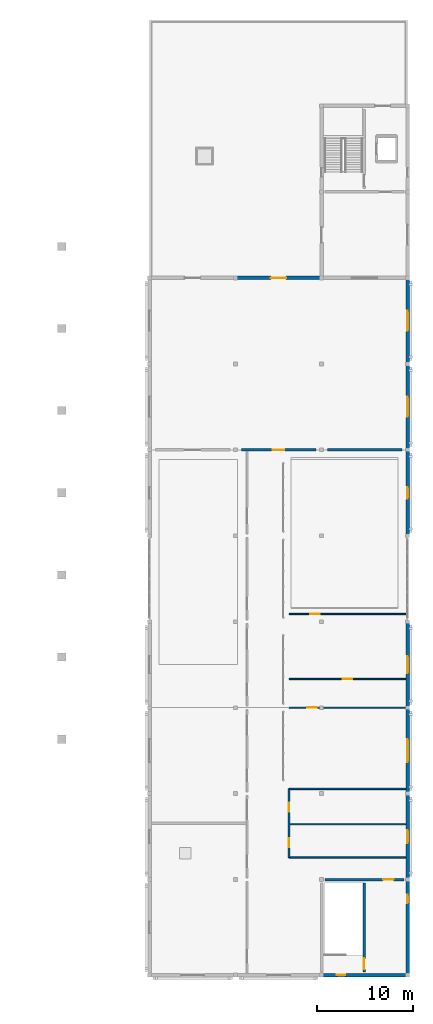
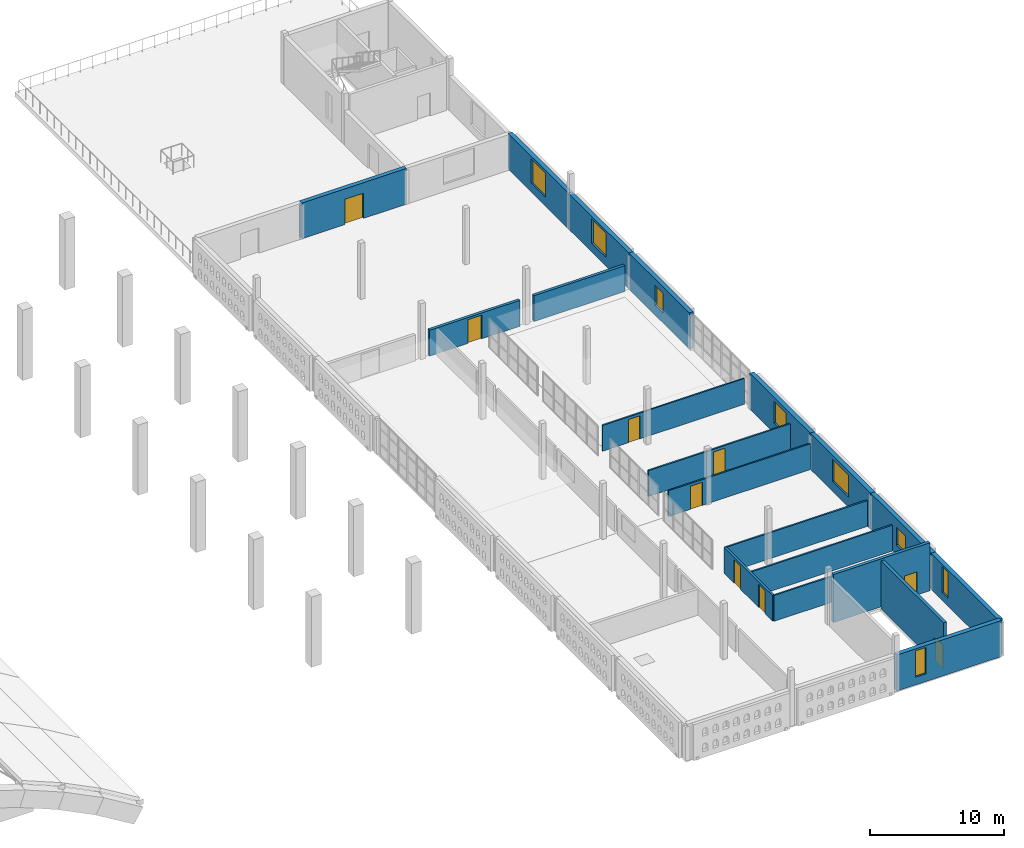
# One storey, part 24 of 30: 20 walls, 9 doors, 8 windows, 17 openings.
"""IFC4 building model written with IfcOpenShell, lengths in metres."""

import ifcopenshell
import ifcopenshell.guid

model = None  # the IFC model being written
_history = None  # IfcOwnerHistory: only IFC2X3 demands one
_inside = {}  # id of a spatial element -> (the spatial element, [elements in it])
_under = {}  # id of a project, library or spatial element -> (it, [spatial elements below it])
_declared = {}  # id of a project -> (the project, [libraries it declares])
_typed = {}  # id of a type object -> (the type object, [elements of that type])
_made_of = {}  # id of a material, layer set ... -> (it, [elements and type objects made of it])


def new_model(schema):
    """Start an empty IFC model of exactly this schema.

    Asked for "IFC4X3", IfcOpenShell would pick the latest addendum, in which some entities
    have other attributes; the version numbers below select the first issue.
    IFC2X3 requires an IfcOwnerHistory on every rooted entity: one is made here for all.
    """
    global model, _history
    if schema == "IFC4X3":
        model = ifcopenshell.file(schema_version=(4, 3, 0, 0))
    else:
        model = ifcopenshell.file(schema=schema)
    _inside.clear()
    _under.clear()
    _declared.clear()
    _typed.clear()
    _made_of.clear()
    _history = None
    if model.schema == "IFC2X3":
        org = make("IfcOrganization", Name="unknown")
        user = make(
            "IfcPersonAndOrganization",
            ThePerson=make("IfcPerson", FamilyName="unknown"),
            TheOrganization=org,
        )
        app = make(
            "IfcApplication",
            ApplicationDeveloper=org,
            Version="unknown",
            ApplicationFullName="unknown",
            ApplicationIdentifier="unknown",
        )
        _history = make(
            "IfcOwnerHistory",
            OwningUser=user,
            OwningApplication=app,
            ChangeAction="ADDED",
            CreationDate=0,
        )
    return model


def make(cls, **values):
    """One entity of the class cls with the attributes given. An attribute that is None is left unset."""
    return model.create_entity(
        cls, **{name: value for name, value in values.items() if value is not None}
    )


def rooted(cls, **values):
    """An entity with a GlobalId (a new one), such as an element, a storey or a relation."""
    return make(cls, GlobalId=ifcopenshell.guid.new(), OwnerHistory=_history, **values)


def si_unit(unit_type, name, prefix=None):
    """IfcSIUnit, for example si_unit("LENGTHUNIT", "METRE", prefix="MILLI")."""
    return make("IfcSIUnit", UnitType=unit_type, Prefix=prefix, Name=name)


def assignment(units):
    """IfcUnitAssignment: the units of a project."""
    return None if units is None else make("IfcUnitAssignment", Units=units)


def point(xyz):
    """IfcCartesianPoint."""
    return None if xyz is None else make("IfcCartesianPoint", Coordinates=xyz)


def direction(xyz):
    """IfcDirection."""
    return None if xyz is None else make("IfcDirection", DirectionRatios=xyz)


def frame(location, z_axis=None, x_axis=None):
    """IfcAxis2Placement3D, a coordinate frame: its origin and axes. An axis left out is left unset."""
    return make(
        "IfcAxis2Placement3D",
        Location=point(location),
        Axis=direction(z_axis),
        RefDirection=direction(x_axis),
    )


def frame_2d(location, x_axis=None):
    """IfcAxis2Placement2D, a coordinate frame in the plane: its origin and x axis."""
    return make(
        "IfcAxis2Placement2D", Location=point(location), RefDirection=direction(x_axis)
    )


def origin():
    """The frame at (0, 0, 0) with its axes left unset."""
    return frame((0.0, 0.0, 0.0))


def place(relative_to, where):
    """IfcLocalPlacement: puts the frame where relative to a parent placement (None: the world)."""
    return make(
        "IfcLocalPlacement", PlacementRelTo=relative_to, RelativePlacement=where
    )


def context(
    kind, dimensions, precision=None, world=None, true_north=None, identifier=None
):
    """IfcGeometricRepresentationContext, for example the 3D "Model" context."""
    return make(
        "IfcGeometricRepresentationContext",
        ContextIdentifier=identifier,
        ContextType=kind,
        CoordinateSpaceDimension=dimensions,
        Precision=precision,
        WorldCoordinateSystem=world,
        TrueNorth=true_north,
    )


def subcontext(parent, identifier, kind, view, scale=None):
    """IfcGeometricRepresentationSubContext, for example "Body" below "Model"."""
    return make(
        "IfcGeometricRepresentationSubContext",
        ContextIdentifier=identifier,
        ContextType=kind,
        ParentContext=parent,
        TargetScale=scale,
        TargetView=view,
    )


def project(units=None, contexts=None):
    """IfcProject with its units and contexts."""
    return rooted(
        "IfcProject",
        Name="project",
        RepresentationContexts=contexts,
        UnitsInContext=assignment(units),
    )


def spatial(cls, under=None, at=None, **own):
    """A site, building, storey or space (cls), placed at a placement, below another one or the project."""
    s = rooted(cls, ObjectPlacement=at, **own)
    if under is not None:
        _under.setdefault(under.id(), (under, []))[1].append(s)
    return s


def profile(cls, at=None, kind="AREA", **sizes):
    """A parametric profile (cls). Its sizes go by their IFC names, for example OverallWidth=200.0."""
    return make(cls, ProfileType=kind, Position=at, **sizes)


def rectangle(**sizes):
    """IfcRectangleProfileDef."""
    return profile("IfcRectangleProfileDef", **sizes)


def extrude(swept, where, along, depth):
    """IfcExtrudedAreaSolid: the profile swept, set in the frame where, extruded along a direction by depth."""
    return make(
        "IfcExtrudedAreaSolid",
        SweptArea=swept,
        Position=where,
        ExtrudedDirection=direction(along),
        Depth=depth,
    )


def shape(context_of_items, identifier, shape_type, items):
    """IfcShapeRepresentation: the items that make up one representation, for example the "Body"."""
    return make(
        "IfcShapeRepresentation",
        ContextOfItems=context_of_items,
        RepresentationIdentifier=identifier,
        RepresentationType=shape_type,
        Items=items,
    )


def material(Name=None, Category=None):
    """IfcMaterial."""
    return make("IfcMaterial", Name=Name, Category=Category)


def layer(
    of_material, thickness, ventilated=None, Name=None, Category=None, Priority=None
):
    """IfcMaterialLayer: one layer of a wall or slab, of a material (None: an air gap)."""
    return make(
        "IfcMaterialLayer",
        Material=of_material,
        LayerThickness=thickness,
        IsVentilated=ventilated,
        Name=Name,
        Category=Category,
        Priority=Priority,
    )


def layer_set(layers, Name=None):
    """IfcMaterialLayerSet."""
    return make("IfcMaterialLayerSet", MaterialLayers=layers, LayerSetName=Name)


def made_of(thing, what):
    """Note that an element or type object is made of a material, layer set ...; save() writes the relation."""
    if what is not None:
        _made_of.setdefault(what.id(), (what, []))[1].append(thing)
    return thing


def type_object(cls, material=None, **own):
    """A type object (cls), such as IfcWallType, which elements share."""
    return made_of(rooted(cls, **own), material)


def element(
    cls,
    number,
    at=None,
    inside=None,
    cuts=None,
    type_object=None,
    material=None,
    context=None,
    identifier="Body",
    shape_type=None,
    held_by="IfcProductDefinitionShape",
    body=None,
    shapes=None,
    **own,
):
    """One element of the class cls, such as IfcWall. Its Tag is "e" and its number.

    at: its placement. inside: the storey or other place that contains it. cuts: it is an
    opening in that element (IfcRelVoidsElement). A single representation is given by context,
    identifier, shape_type and body (its items); several are given by shapes. held_by: the class
    of the entity that holds the representations. save() writes the other relations.
    """
    e = rooted(cls, Tag="e%d" % number, ObjectPlacement=at, **own)
    if body is not None:
        shapes = [shape(context, identifier, shape_type, body)]
    if shapes is not None:
        e.Representation = make(held_by, Representations=shapes)
    if inside is not None:
        _inside.setdefault(inside.id(), (inside, []))[1].append(e)
    if cuts is not None:
        rooted(
            "IfcRelVoidsElement", RelatingBuildingElement=cuts, RelatedOpeningElement=e
        )
    if type_object is not None:
        _typed.setdefault(type_object.id(), (type_object, []))[1].append(e)
    return made_of(e, material)


def fill(opening, filler):
    """IfcRelFillsElement: the door or window that sits in an opening."""
    return rooted(
        "IfcRelFillsElement",
        RelatingOpeningElement=opening,
        RelatedBuildingElement=filler,
    )


def aggregate(whole, parts):
    """IfcRelAggregates: a whole, such as a stair, and the parts it consists of."""
    return rooted("IfcRelAggregates", RelatingObject=whole, RelatedObjects=parts)


def save(model, path):
    """Write the relations noted so far, then the file.

    IfcRelAggregates (storeys below a building ...), IfcRelContainedInSpatialStructure (elements
    in a storey), IfcRelDefinesByType, IfcRelAssociatesMaterial and IfcRelDeclares: one each for
    every whole, place, type object, material and project.
    """
    for whole, parts in _under.values():
        aggregate(whole, parts)
    for where, things in _inside.values():
        rooted(
            "IfcRelContainedInSpatialStructure",
            RelatedElements=things,
            RelatingStructure=where,
        )
    for kind, things in _typed.values():
        rooted("IfcRelDefinesByType", RelatedObjects=things, RelatingType=kind)
    for what, things in _made_of.values():
        rooted("IfcRelAssociatesMaterial", RelatedObjects=things, RelatingMaterial=what)
    for by, libraries in _declared.values():
        rooted("IfcRelDeclares", RelatingContext=by, RelatedDefinitions=libraries)
    model.write(path)


model = new_model("IFC4")

# Units and contexts
model_context = context("Model", 3, precision=1e-05, world=origin(), true_north=direction((0.0, 1.0)))
body_context = subcontext(model_context, "Body", "Model", "MODEL_VIEW")
ifc_project = project(units=[si_unit("LENGTHUNIT", "METRE"), si_unit("AREAUNIT", "SQUARE_METRE"), si_unit("VOLUMEUNIT", "CUBIC_METRE"), si_unit("PLANEANGLEUNIT", "RADIAN"), si_unit("MASSUNIT", "GRAM", prefix="KILO")], contexts=[model_context])

# Site, building, storey
site_placement = place(None, origin())
site = spatial("IfcSite", under=ifc_project, at=site_placement, CompositionType="ELEMENT")
building_placement = place(site_placement, origin())
building = spatial("IfcBuilding", under=site, at=building_placement, Name="Ornek Quay Market", CompositionType="ELEMENT")
storey_placement = place(building_placement, frame((0.0, 0.0, 12.0)))
storey = spatial("IfcBuildingStorey", under=building, at=storey_placement, Name="L03", CompositionType="ELEMENT", Elevation=12.0)

# Wall, opening, door
ifc_material_1 = material(Name="Concrete C40/50", Category="concrete")
ifc_layer_1 = layer(ifc_material_1, 0.260009765625, Name="Concrete C40/50", Category="concrete")
ifc_layer_set_1 = layer_set([ifc_layer_1], Name="Concrete C40/50")
wall_type_1 = type_object("IfcWallType", Name="WL-CORE-260", PredefinedType="SHEAR", material=ifc_layer_set_1)
wall_1_placement = place(storey_placement, frame((175.449951171875, 10.35009765625, 0.0), z_axis=(0.0, 0.0, 1.0), x_axis=(0.0, 1.0, 0.0)))
wall_1 = element("IfcWall", 1, at=wall_1_placement, inside=storey, type_object=wall_type_1, Name="Interior wall W-CORE2-166", PredefinedType="SHEAR", context=body_context, shape_type="SweptSolid", body=[
    extrude(rectangle(XDim=9.2998046875, YDim=0.260009765625, at=frame_2d((4.64990234375, 0.0))), origin(), (0.0, 0.0, 1.0), 4.3701171875),
])
opening_1_placement = place(wall_1_placement, frame((0.25, 0.0, 0.0)))
opening_1 = element("IfcOpeningElement", 2, at=opening_1_placement, cuts=wall_1, Name="Opening FD-03-066", PredefinedType="OPENING", context=body_context, shape_type="SweptSolid", body=[
    extrude(rectangle(XDim=1.14990234375, YDim=2.14990234375, at=frame_2d((0.574951171875, 1.074951171875))), frame((0.0, 0.139892578125, 0.0), z_axis=(0.0, -1.0, 0.0), x_axis=(1.0, 0.0, 0.0)), (0.0, 0.0, 1.0), 0.280029296875),
])
ifc_material_2 = material(Name="Insulated fire-rated painted steel", Category="steel")
door_type_1 = type_object("IfcDoorType", Name="DR-FIRE-STAIR-1150x2150", OperationType="NOTDEFINED", PredefinedType="DOOR", material=ifc_material_2)
door_1_placement = place(opening_1_placement, origin())
door_1 = element("IfcDoor", 3, at=door_1_placement, inside=storey, type_object=door_type_1, Name="Interior door FD-03-066", OperationType="SINGLE_SWING_LEFT", OverallHeight=2.14990234375, OverallWidth=1.14990234375, PredefinedType="DOOR", context=body_context, shape_type="SweptSolid", body=[
    extrude(rectangle(XDim=1.14990234375, YDim=2.14990234375, at=frame_2d((0.574951171875, 1.074951171875))), frame((0.0, 0.02490234375, 0.0), z_axis=(0.0, -1.0, 0.0), x_axis=(1.0, 0.0, 0.0)), (0.0, 0.0, 1.0), 0.050048828125),
])
fill(opening_1, door_1)

wall_2_placement = place(storey_placement, frame((171.35009765625, 20.0, 0.0), z_axis=(0.0, 0.0, 1.0), x_axis=(1.0, 0.0, 0.0)))
wall_2 = element("IfcWall", 4, at=wall_2_placement, inside=storey, type_object=wall_type_1, Name="Interior wall W-CORE2-168", PredefinedType="SHEAR", context=body_context, shape_type="SweptSolid", body=[
    extrude(rectangle(XDim=8.2998046875, YDim=0.260009765625, at=frame_2d((4.14990234375, 0.0))), origin(), (0.0, 0.0, 1.0), 4.3701171875),
])
opening_2_placement = place(wall_2_placement, frame((6.10009765625, 0.0, 0.0)))
opening_2 = element("IfcOpeningElement", 5, at=opening_2_placement, cuts=wall_2, Name="Opening FD-04-067", PredefinedType="OPENING", context=body_context, shape_type="SweptSolid", body=[
    extrude(rectangle(XDim=1.10009765625, YDim=2.10009765625, at=frame_2d((0.550048828125, 1.050048828125))), frame((0.0, 0.139892578125, 0.0), z_axis=(0.0, -1.0, 0.0), x_axis=(1.0, 0.0, 0.0)), (0.0, 0.0, 1.0), 0.280029296875),
])
door_type_2 = type_object("IfcDoorType", Name="DR-FIRE-LOBBY-1100x2100", OperationType="NOTDEFINED", PredefinedType="DOOR", material=ifc_material_2)
door_2_placement = place(opening_2_placement, origin())
door_2 = element("IfcDoor", 6, at=door_2_placement, inside=storey, type_object=door_type_2, Name="Interior door FD-04-067", OperationType="SINGLE_SWING_RIGHT", OverallHeight=2.10009765625, OverallWidth=1.10009765625, PredefinedType="DOOR", context=body_context, shape_type="SweptSolid", body=[
    extrude(rectangle(XDim=1.10009765625, YDim=2.10009765625, at=frame_2d((0.550048828125, 1.050048828125))), frame((0.0, 0.02490234375, 0.0), z_axis=(0.0, -1.0, 0.0), x_axis=(1.0, 0.0, 0.0)), (0.0, 0.0, 1.0), 0.050048828125),
])
fill(opening_2, door_2)

# Wall, openings, doors
ifc_material_3 = material(Name="Autoclaved aerated concrete masonry", Category="masonry")
ifc_layer_2 = layer(ifc_material_3, 0.179931640625, Name="Autoclaved aerated concrete masonry", Category="masonry")
ifc_layer_set_2 = layer_set([ifc_layer_2], Name="Autoclaved aerated concrete masonry")
wall_type_2 = type_object("IfcWallType", Name="WL-CORR-180", PredefinedType="STANDARD", material=ifc_layer_set_2)
wall_3_placement = place(storey_placement, frame((167.60009765625, 22.300048828125, 0.0), z_axis=(0.0, 0.0, 1.0), x_axis=(0.0, 1.0, 0.0)))
wall_3 = element("IfcWall", 7, at=wall_3_placement, inside=storey, type_object=wall_type_2, Name="Interior wall W-INT1-397", PredefinedType="STANDARD", context=body_context, shape_type="SweptSolid", body=[
    extrude(rectangle(XDim=7.199951171875, YDim=0.179931640625, at=frame_2d((3.60009765625, 0.0))), origin(), (0.0, 0.0, 1.0), 2.35009765625),
])
opening_3_placement = place(wall_3_placement, frame((1.10009765625, 0.0, 0.0)))
opening_3 = element("IfcOpeningElement", 8, at=opening_3_placement, cuts=wall_3, Name="Opening ID-04-194", PredefinedType="OPENING", context=body_context, shape_type="SweptSolid", body=[
    extrude(rectangle(XDim=0.949951171875, YDim=2.10009765625, at=frame_2d((0.47509765625, 1.050048828125))), frame((0.0, 0.099853515625, 0.0), z_axis=(0.0, -1.0, 0.0), x_axis=(1.0, 0.0, 0.0)), (0.0, 0.0, 1.0), 0.199951171875),
])
opening_4_placement = place(wall_3_placement, frame((4.800048828125, 0.0, 0.0)))
opening_4 = element("IfcOpeningElement", 9, at=opening_4_placement, cuts=wall_3, Name="Opening ID-04-195", PredefinedType="OPENING", context=body_context, shape_type="SweptSolid", body=[
    extrude(rectangle(XDim=0.949951171875, YDim=2.10009765625, at=frame_2d((0.47509765625, 1.050048828125))), frame((0.0, 0.099853515625, 0.0), z_axis=(0.0, -1.0, 0.0), x_axis=(1.0, 0.0, 0.0)), (0.0, 0.0, 1.0), 0.199951171875),
])
ifc_material_4 = material(Name="Moisture-resistant laminate door", Category="other")
door_type_3 = type_object("IfcDoorType", Name="DR-INT-WC-950x2100", OperationType="NOTDEFINED", PredefinedType="DOOR", material=ifc_material_4)
door_3_placement = place(opening_3_placement, origin())
door_3 = element("IfcDoor", 10, at=door_3_placement, inside=storey, type_object=door_type_3, Name="Interior door ID-04-194", OperationType="SINGLE_SWING_LEFT", OverallHeight=2.10009765625, OverallWidth=0.949951171875, PredefinedType="DOOR", context=body_context, shape_type="SweptSolid", body=[
    extrude(rectangle(XDim=0.949951171875, YDim=2.10009765625, at=frame_2d((0.47509765625, 1.050048828125))), frame((0.0, 0.02490234375, 0.0), z_axis=(0.0, -1.0, 0.0), x_axis=(1.0, 0.0, 0.0)), (0.0, 0.0, 1.0), 0.050048828125),
])
fill(opening_3, door_3)
door_4_placement = place(opening_4_placement, origin())
door_4 = element("IfcDoor", 11, at=door_4_placement, inside=storey, type_object=door_type_3, Name="Interior door ID-04-195", OperationType="SINGLE_SWING_RIGHT", OverallHeight=2.10009765625, OverallWidth=0.949951171875, PredefinedType="DOOR", context=body_context, shape_type="SweptSolid", body=[
    extrude(rectangle(XDim=0.949951171875, YDim=2.10009765625, at=frame_2d((0.47509765625, 1.050048828125))), frame((0.0, 0.02490234375, 0.0), z_axis=(0.0, -1.0, 0.0), x_axis=(1.0, 0.0, 0.0)), (0.0, 0.0, 1.0), 0.050048828125),
])
fill(opening_4, door_4)

# Wall, opening, window
ifc_material_5 = material(Name="Frost-resistant facing clay brick M200 F100", Category="masonry")
ifc_layer_3 = layer(ifc_material_5, 0.3701171875, Name="Frost-resistant facing clay brick M200 F100", Category="masonry")
ifc_layer_set_3 = layer_set([ifc_layer_3], Name="Frost-resistant facing clay brick M200 F100")
wall_type_3 = type_object("IfcWallType", Name="WL-EXT-CS-370", PredefinedType="STANDARD", material=ifc_layer_set_3)
wall_4_placement = place(storey_placement, frame((180.0, 20.0, 0.0), z_axis=(0.0, 0.0, 1.0), x_axis=(0.0, -1.0, 0.0)))
wall_4 = element("IfcWall", 12, at=wall_4_placement, inside=storey, type_object=wall_type_3, Name="Exterior wall EW-232", PredefinedType="STANDARD", context=body_context, shape_type="SweptSolid", body=[
    extrude(rectangle(XDim=10.0, YDim=0.3701171875, at=frame_2d((5.0, 0.0))), origin(), (0.0, 0.0, 1.0), 3.280029296875),
])
opening_5_placement = place(wall_4_placement, frame((1.60009765625, 0.0, 0.699951171875)))
opening_5 = element("IfcOpeningElement", 13, at=opening_5_placement, cuts=wall_4, Name="Opening W-17-195", PredefinedType="OPENING", context=body_context, shape_type="SweptSolid", body=[
    extrude(rectangle(XDim=0.89990234375, YDim=2.39990234375, at=frame_2d((0.449951171875, 1.199951171875))), frame((0.0, 0.195068359375, 0.0), z_axis=(0.0, -1.0, 0.0), x_axis=(1.0, 0.0, 0.0)), (0.0, 0.0, 1.0), 0.39013671875),
])
ifc_material_6 = material(Name="Thermally broken bronze aluminium and triple low-e glass", Category="aluminium")
window_type_1 = type_object("IfcWindowType", Name="WN-CORE-900x2400", PartitioningType="SINGLE_PANEL", PredefinedType="WINDOW", material=ifc_material_6)
window_1_placement = place(opening_5_placement, origin())
window_1 = element("IfcWindow", 14, at=window_1_placement, inside=storey, type_object=window_type_1, Name="Window W-17-195", OverallHeight=2.39990234375, OverallWidth=0.89990234375, PartitioningType="SINGLE_PANEL", PredefinedType="WINDOW", context=body_context, shape_type="SweptSolid", body=[
    extrude(rectangle(XDim=0.89990234375, YDim=2.39990234375, at=frame_2d((0.449951171875, 1.199951171875))), frame((0.0, 0.030029296875, 0.0), z_axis=(0.0, -1.0, 0.0), x_axis=(1.0, 0.0, 0.0)), (0.0, 0.0, 1.0), 0.06005859375),
])
fill(opening_5, window_1)

wall_5_placement = place(storey_placement, frame((180.0, 20.0, 0.0), z_axis=(0.0, 0.0, 1.0), x_axis=(0.0, 1.0, 0.0)))
wall_5 = element("IfcWall", 15, at=wall_5_placement, inside=storey, type_object=wall_type_3, Name="Exterior wall EW-233", PredefinedType="STANDARD", context=body_context, shape_type="SweptSolid", body=[
    extrude(rectangle(XDim=9.0, YDim=0.3701171875, at=frame_2d((4.5, 0.0))), origin(), (0.0, 0.0, 1.0), 3.280029296875),
])
opening_6_placement = place(wall_5_placement, frame((3.824951171875, 0.0, 0.89990234375)))
opening_6 = element("IfcOpeningElement", 16, at=opening_6_placement, cuts=wall_5, Name="Opening W-16-196", PredefinedType="OPENING", context=body_context, shape_type="SweptSolid", body=[
    extrude(rectangle(XDim=1.35009765625, YDim=1.60009765625, at=frame_2d((0.675048828125, 0.800048828125))), frame((0.0, 0.195068359375, 0.0), z_axis=(0.0, -1.0, 0.0), x_axis=(1.0, 0.0, 0.0)), (0.0, 0.0, 1.0), 0.39013671875),
])
window_type_2 = type_object("IfcWindowType", Name="WN-OFF-1350x1600", PartitioningType="SINGLE_PANEL", PredefinedType="WINDOW", material=ifc_material_6)
window_2_placement = place(opening_6_placement, origin())
window_2 = element("IfcWindow", 17, at=window_2_placement, inside=storey, type_object=window_type_2, Name="Window W-16-196", OverallHeight=1.60009765625, OverallWidth=1.35009765625, PartitioningType="SINGLE_PANEL", PredefinedType="WINDOW", context=body_context, shape_type="SweptSolid", body=[
    extrude(rectangle(XDim=1.35009765625, YDim=1.60009765625, at=frame_2d((0.675048828125, 0.800048828125))), frame((0.0, 0.030029296875, 0.0), z_axis=(0.0, -1.0, 0.0), x_axis=(1.0, 0.0, 0.0)), (0.0, 0.0, 1.0), 0.06005859375),
])
fill(opening_6, window_2)

wall_6_placement = place(storey_placement, frame((180.0, 29.0, 0.0), z_axis=(0.0, 0.0, 1.0), x_axis=(0.0, 1.0, 0.0)))
wall_6 = element("IfcWall", 18, at=wall_6_placement, inside=storey, type_object=wall_type_3, Name="Exterior wall EW-234", PredefinedType="STANDARD", context=body_context, shape_type="SweptSolid", body=[
    extrude(rectangle(XDim=9.0, YDim=0.3701171875, at=frame_2d((4.5, 0.0))), origin(), (0.0, 0.0, 1.0), 3.280029296875),
])
opening_7_placement = place(wall_6_placement, frame((3.300048828125, 0.0, 0.89990234375)))
opening_7 = element("IfcOpeningElement", 19, at=opening_7_placement, cuts=wall_6, Name="Opening W-08-197", PredefinedType="OPENING", context=body_context, shape_type="SweptSolid", body=[
    extrude(rectangle(XDim=2.39990234375, YDim=2.0, at=frame_2d((1.199951171875, 1.0))), frame((0.0, 0.195068359375, 0.0), z_axis=(0.0, -1.0, 0.0), x_axis=(1.0, 0.0, 0.0)), (0.0, 0.0, 1.0), 0.39013671875),
])
window_type_3 = type_object("IfcWindowType", Name="WN-CS-2400x2000", PartitioningType="DOUBLE_PANEL_VERTICAL", PredefinedType="WINDOW", material=ifc_material_6)
window_3_placement = place(opening_7_placement, origin())
window_3 = element("IfcWindow", 20, at=window_3_placement, inside=storey, type_object=window_type_3, Name="Window W-08-197", OverallHeight=2.0, OverallWidth=2.39990234375, PartitioningType="SINGLE_PANEL", PredefinedType="WINDOW", context=body_context, shape_type="SweptSolid", body=[
    extrude(rectangle(XDim=2.39990234375, YDim=2.0, at=frame_2d((1.199951171875, 1.0))), frame((0.0, 0.030029296875, 0.0), z_axis=(0.0, -1.0, 0.0), x_axis=(1.0, 0.0, 0.0)), (0.0, 0.0, 1.0), 0.06005859375),
])
fill(opening_7, window_3)

wall_7_placement = place(storey_placement, frame((180.0, 38.0, 0.0), z_axis=(0.0, 0.0, 1.0), x_axis=(0.0, 1.0, 0.0)))
wall_7 = element("IfcWall", 21, at=wall_7_placement, inside=storey, type_object=wall_type_3, Name="Exterior wall EW-235", PredefinedType="STANDARD", context=body_context, shape_type="SweptSolid", body=[
    extrude(rectangle(XDim=9.0, YDim=0.3701171875, at=frame_2d((4.5, 0.0))), origin(), (0.0, 0.0, 1.0), 3.280029296875),
])
opening_8_placement = place(wall_7_placement, frame((3.60009765625, 0.0, 0.89990234375)))
opening_8 = element("IfcOpeningElement", 22, at=opening_8_placement, cuts=wall_7, Name="Opening W-09-198", PredefinedType="OPENING", context=body_context, shape_type="SweptSolid", body=[
    extrude(rectangle(XDim=1.800048828125, YDim=2.0, at=frame_2d((0.89990234375, 1.0))), frame((0.0, 0.195068359375, 0.0), z_axis=(0.0, -1.0, 0.0), x_axis=(1.0, 0.0, 0.0)), (0.0, 0.0, 1.0), 0.39013671875),
])
window_type_4 = type_object("IfcWindowType", Name="WN-CS-1800x2000", PartitioningType="DOUBLE_PANEL_VERTICAL", PredefinedType="WINDOW", material=ifc_material_6)
window_4_placement = place(opening_8_placement, origin())
window_4 = element("IfcWindow", 23, at=window_4_placement, inside=storey, type_object=window_type_4, Name="Window W-09-198", OverallHeight=2.0, OverallWidth=1.800048828125, PartitioningType="SINGLE_PANEL", PredefinedType="WINDOW", context=body_context, shape_type="SweptSolid", body=[
    extrude(rectangle(XDim=1.800048828125, YDim=2.0, at=frame_2d((0.89990234375, 1.0))), frame((0.0, 0.030029296875, 0.0), z_axis=(0.0, -1.0, 0.0), x_axis=(1.0, 0.0, 0.0)), (0.0, 0.0, 1.0), 0.06005859375),
])
fill(opening_8, window_4)

wall_8_placement = place(storey_placement, frame((180.0, 56.0, 0.0), z_axis=(0.0, 0.0, 1.0), x_axis=(0.0, 1.0, 0.0)))
wall_8 = element("IfcWall", 24, at=wall_8_placement, inside=storey, type_object=wall_type_3, Name="Exterior wall EW-236", PredefinedType="STANDARD", context=body_context, shape_type="SweptSolid", body=[
    extrude(rectangle(XDim=9.0, YDim=0.3701171875, at=frame_2d((4.5, 0.0))), origin(), (0.0, 0.0, 1.0), 3.280029296875),
])
opening_9_placement = place(wall_8_placement, frame((3.89990234375, 0.0, 0.89990234375)))
opening_9 = element("IfcOpeningElement", 25, at=opening_9_placement, cuts=wall_8, Name="Opening W-11-199", PredefinedType="OPENING", context=body_context, shape_type="SweptSolid", body=[
    extrude(rectangle(XDim=1.199951171875, YDim=1.800048828125, at=frame_2d((0.60009765625, 0.89990234375))), frame((0.0, 0.195068359375, 0.0), z_axis=(0.0, -1.0, 0.0), x_axis=(1.0, 0.0, 0.0)), (0.0, 0.0, 1.0), 0.39013671875),
])
window_type_5 = type_object("IfcWindowType", Name="WN-CS-1200x1800", PartitioningType="SINGLE_PANEL", PredefinedType="WINDOW", material=ifc_material_6)
window_5_placement = place(opening_9_placement, origin())
window_5 = element("IfcWindow", 26, at=window_5_placement, inside=storey, type_object=window_type_5, Name="Window W-11-199", OverallHeight=1.800048828125, OverallWidth=1.199951171875, PartitioningType="SINGLE_PANEL", PredefinedType="WINDOW", context=body_context, shape_type="SweptSolid", body=[
    extrude(rectangle(XDim=1.199951171875, YDim=1.800048828125, at=frame_2d((0.60009765625, 0.89990234375))), frame((0.0, 0.030029296875, 0.0), z_axis=(0.0, -1.0, 0.0), x_axis=(1.0, 0.0, 0.0)), (0.0, 0.0, 1.0), 0.06005859375),
])
fill(opening_9, window_5)

wall_9_placement = place(storey_placement, frame((171.0, 10.0, 0.0), z_axis=(0.0, 0.0, 1.0), x_axis=(1.0, 0.0, 0.0)))
wall_9 = element("IfcWall", 27, at=wall_9_placement, inside=storey, type_object=wall_type_3, Name="Exterior wall EW-239", PredefinedType="STANDARD", context=body_context, shape_type="SweptSolid", body=[
    extrude(rectangle(XDim=9.0, YDim=0.3701171875, at=frame_2d((4.5, 0.0))), origin(), (0.0, 0.0, 1.0), 3.280029296875),
])
opening_10_placement = place(wall_9_placement, frame((1.60009765625, 0.0, 0.699951171875)))
opening_10 = element("IfcOpeningElement", 28, at=opening_10_placement, cuts=wall_9, Name="Opening W-17-202", PredefinedType="OPENING", context=body_context, shape_type="SweptSolid", body=[
    extrude(rectangle(XDim=0.89990234375, YDim=2.39990234375, at=frame_2d((0.449951171875, 1.199951171875))), frame((0.0, 0.195068359375, 0.0), z_axis=(0.0, -1.0, 0.0), x_axis=(1.0, 0.0, 0.0)), (0.0, 0.0, 1.0), 0.39013671875),
])
window_6_placement = place(opening_10_placement, origin())
window_6 = element("IfcWindow", 29, at=window_6_placement, inside=storey, type_object=window_type_1, Name="Window W-17-202", OverallHeight=2.39990234375, OverallWidth=0.89990234375, PartitioningType="SINGLE_PANEL", PredefinedType="WINDOW", context=body_context, shape_type="SweptSolid", body=[
    extrude(rectangle(XDim=0.89990234375, YDim=2.39990234375, at=frame_2d((0.449951171875, 1.199951171875))), frame((0.0, 0.030029296875, 0.0), z_axis=(0.0, -1.0, 0.0), x_axis=(1.0, 0.0, 0.0)), (0.0, 0.0, 1.0), 0.06005859375),
])
fill(opening_10, window_6)

# Wall, opening, door
ifc_layer_4 = layer(ifc_material_5, 0.360107421875, Name="Frost-resistant facing clay brick M200 F100", Category="masonry")
ifc_layer_set_4 = layer_set([ifc_layer_4], Name="Frost-resistant facing clay brick M200 F100")
wall_type_4 = type_object("IfcWallType", Name="WL-EXT-FC-360", PredefinedType="STANDARD", material=ifc_layer_set_4)
wall_10_placement = place(storey_placement, frame((162.0, 83.0, 0.0), z_axis=(0.0, 0.0, 1.0), x_axis=(1.0, 0.0, 0.0)))
wall_10 = element("IfcWall", 30, at=wall_10_placement, inside=storey, type_object=wall_type_4, Name="Exterior wall EW-171", PredefinedType="STANDARD", context=body_context, shape_type="SweptSolid", body=[
    extrude(rectangle(XDim=9.0, YDim=0.360107421875, at=frame_2d((4.5, 0.0))), origin(), (0.0, 0.0, 1.0), 3.25),
])
opening_11_placement = place(wall_10_placement, frame((3.699951171875, 0.0, 0.0)))
opening_11 = element("IfcOpeningElement", 31, at=opening_11_placement, cuts=wall_10, Name="Opening ED-04-041", PredefinedType="OPENING", context=body_context, shape_type="SweptSolid", body=[
    extrude(rectangle(XDim=1.60009765625, YDim=2.300048828125, at=frame_2d((0.800048828125, 1.14990234375))), frame((0.0, 0.18994140625, 0.0), z_axis=(0.0, -1.0, 0.0), x_axis=(1.0, 0.0, 0.0)), (0.0, 0.0, 1.0), 0.380126953125),
])
ifc_material_7 = material(Name="Anodised bronze aluminium and triple glass", Category="aluminium")
door_type_4 = type_object("IfcDoorType", Name="DR-EXT-TER-1600x2300", OperationType="DOUBLE_DOOR_SINGLE_SWING", PredefinedType="DOOR", material=ifc_material_7)
door_5_placement = place(opening_11_placement, origin())
door_5 = element("IfcDoor", 32, at=door_5_placement, inside=storey, type_object=door_type_4, Name="Exterior door ED-04-041", OperationType="DOUBLE_DOOR_SINGLE_SWING", OverallHeight=2.300048828125, OverallWidth=1.60009765625, PredefinedType="DOOR", context=body_context, shape_type="SweptSolid", body=[
    extrude(rectangle(XDim=1.60009765625, YDim=2.300048828125, at=frame_2d((0.800048828125, 1.14990234375))), frame((0.0, 0.02490234375, 0.0), z_axis=(0.0, -1.0, 0.0), x_axis=(1.0, 0.0, 0.0)), (0.0, 0.0, 1.0), 0.050048828125),
])
fill(opening_11, door_5)

# Wall, opening, window
wall_11_placement = place(storey_placement, frame((180.0, 65.0, 0.0), z_axis=(0.0, 0.0, 1.0), x_axis=(0.0, 1.0, 0.0)))
wall_11 = element("IfcWall", 33, at=wall_11_placement, inside=storey, type_object=wall_type_4, Name="Exterior wall EW-174", PredefinedType="STANDARD", context=body_context, shape_type="SweptSolid", body=[
    extrude(rectangle(XDim=9.0, YDim=0.360107421875, at=frame_2d((4.5, 0.0))), origin(), (0.0, 0.0, 1.0), 3.25),
])
opening_12_placement = place(wall_11_placement, frame((3.449951171875, 0.0, 0.800048828125)))
opening_12 = element("IfcOpeningElement", 34, at=opening_12_placement, cuts=wall_11, Name="Opening W-06-144", PredefinedType="OPENING", context=body_context, shape_type="SweptSolid", body=[
    extrude(rectangle(XDim=2.10009765625, YDim=2.199951171875, at=frame_2d((1.050048828125, 1.10009765625))), frame((0.0, 0.18994140625, 0.0), z_axis=(0.0, -1.0, 0.0), x_axis=(1.0, 0.0, 0.0)), (0.0, 0.0, 1.0), 0.380126953125),
])
window_type_6 = type_object("IfcWindowType", Name="WN-FC-2100x2200", PartitioningType="DOUBLE_PANEL_VERTICAL", PredefinedType="WINDOW", material=ifc_material_6)
window_7_placement = place(opening_12_placement, origin())
window_7 = element("IfcWindow", 35, at=window_7_placement, inside=storey, type_object=window_type_6, Name="Window W-06-144", OverallHeight=2.199951171875, OverallWidth=2.10009765625, PartitioningType="SINGLE_PANEL", PredefinedType="WINDOW", context=body_context, shape_type="SweptSolid", body=[
    extrude(rectangle(XDim=2.10009765625, YDim=2.199951171875, at=frame_2d((1.050048828125, 1.10009765625))), frame((0.0, 0.030029296875, 0.0), z_axis=(0.0, -1.0, 0.0), x_axis=(1.0, 0.0, 0.0)), (0.0, 0.0, 1.0), 0.06005859375),
])
fill(opening_12, window_7)

wall_12_placement = place(storey_placement, frame((180.0, 74.0, 0.0), z_axis=(0.0, 0.0, 1.0), x_axis=(0.0, 1.0, 0.0)))
wall_12 = element("IfcWall", 36, at=wall_12_placement, inside=storey, type_object=wall_type_4, Name="Exterior wall EW-176", PredefinedType="STANDARD", context=body_context, shape_type="SweptSolid", body=[
    extrude(rectangle(XDim=9.0, YDim=0.360107421875, at=frame_2d((4.5, 0.0))), origin(), (0.0, 0.0, 1.0), 3.25),
])
opening_13_placement = place(wall_12_placement, frame((3.449951171875, 0.0, 0.800048828125)))
opening_13 = element("IfcOpeningElement", 37, at=opening_13_placement, cuts=wall_12, Name="Opening W-06-146", PredefinedType="OPENING", context=body_context, shape_type="SweptSolid", body=[
    extrude(rectangle(XDim=2.10009765625, YDim=2.199951171875, at=frame_2d((1.050048828125, 1.10009765625))), frame((0.0, 0.18994140625, 0.0), z_axis=(0.0, -1.0, 0.0), x_axis=(1.0, 0.0, 0.0)), (0.0, 0.0, 1.0), 0.380126953125),
])
window_8_placement = place(opening_13_placement, origin())
window_8 = element("IfcWindow", 38, at=window_8_placement, inside=storey, type_object=window_type_6, Name="Window W-06-146", OverallHeight=2.199951171875, OverallWidth=2.10009765625, PartitioningType="SINGLE_PANEL", PredefinedType="WINDOW", context=body_context, shape_type="SweptSolid", body=[
    extrude(rectangle(XDim=2.10009765625, YDim=2.199951171875, at=frame_2d((1.050048828125, 1.10009765625))), frame((0.0, 0.030029296875, 0.0), z_axis=(0.0, -1.0, 0.0), x_axis=(1.0, 0.0, 0.0)), (0.0, 0.0, 1.0), 0.06005859375),
])
fill(opening_13, window_8)

# Wall, opening, door
ifc_material_8 = material(Name="Concrete C35/45", Category="concrete")
ifc_layer_5 = layer(ifc_material_8, 0.239990234375, Name="Concrete C35/45", Category="concrete")
ifc_layer_set_5 = layer_set([ifc_layer_5], Name="Concrete C35/45")
wall_type_5 = type_object("IfcWallType", Name="WL-FIRE-240", PredefinedType="SOLIDWALL", material=ifc_layer_set_5)
wall_13_placement = place(storey_placement, frame((162.60009765625, 65.0, 0.0), z_axis=(0.0, 0.0, 1.0), x_axis=(1.0, 0.0, 0.0)))
wall_13 = element("IfcWall", 39, at=wall_13_placement, inside=storey, type_object=wall_type_5, Name="Interior wall W-FIRE2-343", PredefinedType="SOLIDWALL", context=body_context, shape_type="SweptSolid", body=[
    extrude(rectangle(XDim=7.7998046875, YDim=0.239990234375, at=frame_2d((3.89990234375, 0.0))), origin(), (0.0, 0.0, 1.0), 2.35009765625),
])
opening_14_placement = place(wall_13_placement, frame((3.300048828125, 0.0, 0.0)))
opening_14 = element("IfcOpeningElement", 40, at=opening_14_placement, cuts=wall_13, Name="Opening ID-02-167", PredefinedType="OPENING", context=body_context, shape_type="SweptSolid", body=[
    extrude(rectangle(XDim=1.199951171875, YDim=2.14990234375, at=frame_2d((0.60009765625, 1.074951171875))), frame((0.0, 0.1298828125, 0.0), z_axis=(0.0, -1.0, 0.0), x_axis=(1.0, 0.0, 0.0)), (0.0, 0.0, 1.0), 0.260009765625),
])
ifc_material_9 = material(Name="Acoustic solid oak door", Category="other")
door_type_5 = type_object("IfcDoorType", Name="DR-INT-STUDIO-1200x2150", OperationType="NOTDEFINED", PredefinedType="DOOR", material=ifc_material_9)
door_6_placement = place(opening_14_placement, origin())
door_6 = element("IfcDoor", 41, at=door_6_placement, inside=storey, type_object=door_type_5, Name="Interior door ID-02-167", OperationType="SINGLE_SWING_RIGHT", OverallHeight=2.14990234375, OverallWidth=1.199951171875, PredefinedType="DOOR", context=body_context, shape_type="SweptSolid", body=[
    extrude(rectangle(XDim=1.199951171875, YDim=2.14990234375, at=frame_2d((0.60009765625, 1.074951171875))), frame((0.0, 0.02490234375, 0.0), z_axis=(0.0, -1.0, 0.0), x_axis=(1.0, 0.0, 0.0)), (0.0, 0.0, 1.0), 0.050048828125),
])
fill(opening_14, door_6)

# Wall
wall_14_placement = place(storey_placement, frame((171.60009765625, 65.0, 0.0), z_axis=(0.0, 0.0, 1.0), x_axis=(1.0, 0.0, 0.0)))
element("IfcWall", 42, at=wall_14_placement, inside=storey, type_object=wall_type_5, Name="Interior wall W-FIRE2-344", PredefinedType="SOLIDWALL", context=body_context, shape_type="SweptSolid", body=[
    extrude(rectangle(XDim=7.7998046875, YDim=0.239990234375, at=frame_2d((3.89990234375, 0.0))), origin(), (0.0, 0.0, 1.0), 2.35009765625),
])

# Wall, opening, door
ifc_material_10 = material(Name="Acoustic stud partition", Category="other")
ifc_layer_6 = layer(ifc_material_10, 0.125, Name="Acoustic stud partition", Category="other")
ifc_layer_set_6 = layer_set([ifc_layer_6], Name="Acoustic stud partition")
wall_type_6 = type_object("IfcWallType", Name="WL-OFF-125", PredefinedType="PARTITIONING", material=ifc_layer_set_6)
wall_15_placement = place(storey_placement, frame((167.60009765625, 38.0, 0.0), z_axis=(0.0, 0.0, 1.0), x_axis=(1.0, 0.0, 0.0)))
wall_15 = element("IfcWall", 43, at=wall_15_placement, inside=storey, type_object=wall_type_6, Name="Interior wall W-INT5-354", PredefinedType="PARTITIONING", context=body_context, shape_type="SweptSolid", body=[
    extrude(rectangle(XDim=12.199951171875, YDim=0.125, at=frame_2d((6.10009765625, 0.0))), origin(), (0.0, 0.0, 1.0), 2.35009765625),
])
opening_15_placement = place(wall_15_placement, frame((1.89990234375, 0.0, 0.0)))
opening_15 = element("IfcOpeningElement", 44, at=opening_15_placement, cuts=wall_15, Name="Opening ID-03-174", PredefinedType="OPENING", context=body_context, shape_type="SweptSolid", body=[
    extrude(rectangle(XDim=1.0, YDim=2.10009765625, at=frame_2d((0.5, 1.050048828125))), frame((0.0, 0.072509765625, 0.0), z_axis=(0.0, -1.0, 0.0), x_axis=(1.0, 0.0, 0.0)), (0.0, 0.0, 1.0), 0.14501953125),
])
ifc_material_11 = material(Name="Solid oak door", Category="other")
door_type_6 = type_object("IfcDoorType", Name="DR-INT-ROOM-1000x2100", OperationType="NOTDEFINED", PredefinedType="DOOR", material=ifc_material_11)
door_7_placement = place(opening_15_placement, origin())
door_7 = element("IfcDoor", 45, at=door_7_placement, inside=storey, type_object=door_type_6, Name="Interior door ID-03-174", OperationType="SINGLE_SWING_LEFT", OverallHeight=2.10009765625, OverallWidth=1.0, PredefinedType="DOOR", context=body_context, shape_type="SweptSolid", body=[
    extrude(rectangle(XDim=1.0, YDim=2.10009765625, at=frame_2d((0.5, 1.050048828125))), frame((0.0, 0.02490234375, 0.0), z_axis=(0.0, -1.0, 0.0), x_axis=(1.0, 0.0, 0.0)), (0.0, 0.0, 1.0), 0.050048828125),
])
fill(opening_15, door_7)

wall_16_placement = place(storey_placement, frame((167.60009765625, 47.800048828125, 0.0), z_axis=(0.0, 0.0, 1.0), x_axis=(1.0, 0.0, 0.0)))
wall_16 = element("IfcWall", 46, at=wall_16_placement, inside=storey, type_object=wall_type_6, Name="Interior wall W-INT5-355", PredefinedType="PARTITIONING", context=body_context, shape_type="SweptSolid", body=[
    extrude(rectangle(XDim=12.199951171875, YDim=0.125, at=frame_2d((6.10009765625, 0.0))), origin(), (0.0, 0.0, 1.0), 2.35009765625),
])
opening_16_placement = place(wall_16_placement, frame((2.199951171875, 0.0, 0.0)))
opening_16 = element("IfcOpeningElement", 47, at=opening_16_placement, cuts=wall_16, Name="Opening ID-03-175", PredefinedType="OPENING", context=body_context, shape_type="SweptSolid", body=[
    extrude(rectangle(XDim=1.0, YDim=2.10009765625, at=frame_2d((0.5, 1.050048828125))), frame((0.0, 0.072509765625, 0.0), z_axis=(0.0, -1.0, 0.0), x_axis=(1.0, 0.0, 0.0)), (0.0, 0.0, 1.0), 0.14501953125),
])
door_8_placement = place(opening_16_placement, origin())
door_8 = element("IfcDoor", 48, at=door_8_placement, inside=storey, type_object=door_type_6, Name="Interior door ID-03-175", OperationType="SINGLE_SWING_RIGHT", OverallHeight=2.10009765625, OverallWidth=1.0, PredefinedType="DOOR", context=body_context, shape_type="SweptSolid", body=[
    extrude(rectangle(XDim=1.0, YDim=2.10009765625, at=frame_2d((0.5, 1.050048828125))), frame((0.0, 0.02490234375, 0.0), z_axis=(0.0, -1.0, 0.0), x_axis=(1.0, 0.0, 0.0)), (0.0, 0.0, 1.0), 0.050048828125),
])
fill(opening_16, door_8)

ifc_material_12 = material(Name="Reinforced masonry storage partition", Category="masonry")
ifc_layer_7 = layer(ifc_material_12, 0.135009765625, Name="Reinforced masonry storage partition", Category="masonry")
ifc_layer_set_7 = layer_set([ifc_layer_7], Name="Reinforced masonry storage partition")
wall_type_7 = type_object("IfcWallType", Name="WL-STORAGE-135", PredefinedType="PARTITIONING", material=ifc_layer_set_7)
wall_17_placement = place(storey_placement, frame((167.60009765625, 41.0, 0.0), z_axis=(0.0, 0.0, 1.0), x_axis=(1.0, 0.0, 0.0)))
wall_17 = element("IfcWall", 49, at=wall_17_placement, inside=storey, type_object=wall_type_7, Name="Interior wall W-INT8-360", PredefinedType="PARTITIONING", context=body_context, shape_type="SweptSolid", body=[
    extrude(rectangle(XDim=12.199951171875, YDim=0.135009765625, at=frame_2d((6.10009765625, 0.0))), origin(), (0.0, 0.0, 1.0), 2.35009765625),
])
opening_17_placement = place(wall_17_placement, frame((5.60009765625, 0.0, 0.0)))
opening_17 = element("IfcOpeningElement", 50, at=opening_17_placement, cuts=wall_17, Name="Opening ID-03-180", PredefinedType="OPENING", context=body_context, shape_type="SweptSolid", body=[
    extrude(rectangle(XDim=1.0, YDim=2.10009765625, at=frame_2d((0.5, 1.050048828125))), frame((0.0, 0.077392578125, 0.0), z_axis=(0.0, -1.0, 0.0), x_axis=(1.0, 0.0, 0.0)), (0.0, 0.0, 1.0), 0.155029296875),
])
door_9_placement = place(opening_17_placement, origin())
door_9 = element("IfcDoor", 51, at=door_9_placement, inside=storey, type_object=door_type_6, Name="Interior door ID-03-180", OperationType="SINGLE_SWING_LEFT", OverallHeight=2.10009765625, OverallWidth=1.0, PredefinedType="DOOR", context=body_context, shape_type="SweptSolid", body=[
    extrude(rectangle(XDim=1.0, YDim=2.10009765625, at=frame_2d((0.5, 1.050048828125))), frame((0.0, 0.02490234375, 0.0), z_axis=(0.0, -1.0, 0.0), x_axis=(1.0, 0.0, 0.0)), (0.0, 0.0, 1.0), 0.050048828125),
])
fill(opening_17, door_9)

# Walls
ifc_material_13 = material(Name="Moisture-resistant masonry partition", Category="masonry")
ifc_layer_8 = layer(ifc_material_13, 0.139892578125, Name="Moisture-resistant masonry partition", Category="masonry")
ifc_layer_set_8 = layer_set([ifc_layer_8], Name="Moisture-resistant masonry partition")
wall_type_8 = type_object("IfcWallType", Name="WL-WC-140", PredefinedType="PARTITIONING", material=ifc_layer_set_8)
for number, where, z_axis, x_axis, name in (
    (52, (167.60009765625, 22.300048828125, 0.0), (0.0, 0.0, 1.0), (1.0, 0.0, 0.0), "Interior wall W-INT4-351"),
    (53, (167.60009765625, 25.800048828125, 0.0), (0.0, 0.0, 1.0), (1.0, 0.0, 0.0), "Interior wall W-INT4-352"),
    (54, (167.60009765625, 29.5, 0.0), (0.0, 0.0, 1.0), (1.0, 0.0, 0.0), "Interior wall W-INT4-353"),
):
    element("IfcWall", number, at=place(storey_placement, frame(where, z_axis=z_axis, x_axis=x_axis)), inside=storey, type_object=wall_type_8, Name=name, PredefinedType="PARTITIONING", context=body_context, shape_type="SweptSolid", body=[
        extrude(rectangle(XDim=12.199951171875, YDim=0.139892578125, at=frame_2d((6.10009765625, 0.0))), origin(), (0.0, 0.0, 1.0), 2.35009765625),
    ])

save(model, "model.ifc")
